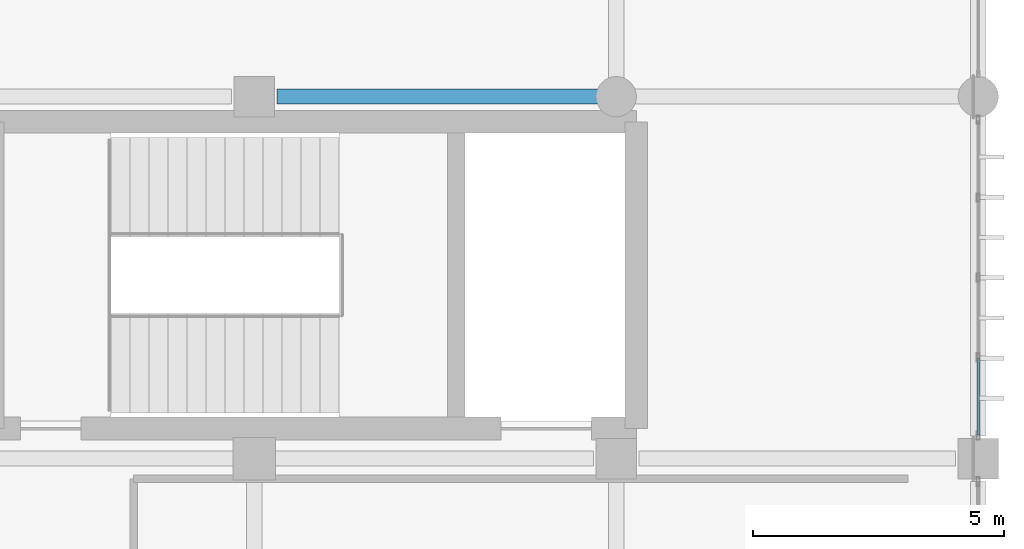
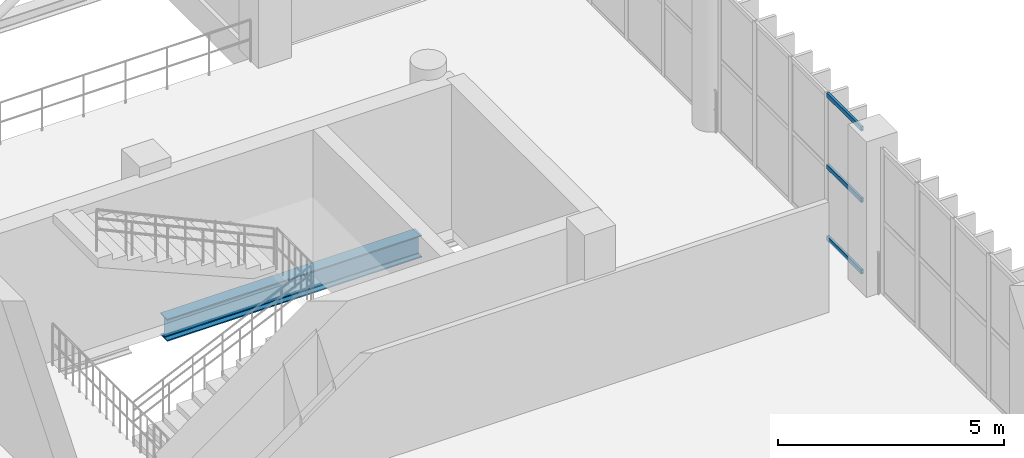
# One storey, part 89 of 153: 3 members, 1 beam, 1 element without a shape of its own.
"""IFC4 building model written with IfcOpenShell, lengths in metres."""

from ifc_helpers import new_model, si_unit, direction, frame, origin, origin_2d, place, context, subcontext, project, spatial, hollow_rectangle, i_section, extrude, material, material_profile, profile_set, type_object, element, aggregate, save


model = new_model("IFC4")

# Units and contexts
model_context = context("Model", 3, precision=1e-05, world=origin(), true_north=direction((0.0, 1.0)))
body_context = subcontext(model_context, "Body", "Model", "MODEL_VIEW")
ifc_project = project(units=[si_unit("LENGTHUNIT", "METRE"), si_unit("AREAUNIT", "SQUARE_METRE"), si_unit("VOLUMEUNIT", "CUBIC_METRE"), si_unit("PLANEANGLEUNIT", "RADIAN"), si_unit("MASSUNIT", "GRAM", prefix="KILO")], contexts=[model_context])

# Site, building, storey
site_placement = place(None, origin())
site = spatial("IfcSite", under=ifc_project, at=site_placement, CompositionType="ELEMENT")
building_placement = place(site_placement, origin())
building = spatial("IfcBuilding", under=site, at=building_placement, Name="Qandorah Velis Arena", CompositionType="ELEMENT")
storey_placement = place(building_placement, frame((0.0, 0.0, 5.39990234375)))
storey = spatial("IfcBuildingStorey", under=building, at=storey_placement, Name="L01", CompositionType="ELEMENT", Elevation=5.39990234375)

# Curtain wall, members
ifc_material_1 = material(Name="Solar-control low-E double glazing", Category="glass")
curtain_wall_type = type_object("IfcCurtainWallType", Name="ARC-CW-SYS23", PredefinedType="USERDEFINED", material=ifc_material_1)
curtain_wall_placement = place(storey_placement, origin())
curtain_wall = element("IfcCurtainWall", 1, at=curtain_wall_placement, inside=storey, type_object=curtain_wall_type, Name="Unitised curtain wall L01-143", ObjectType="UNITISED CURTAIN WALL", PredefinedType="USERDEFINED")
ifc_material_2 = material(Name="Champagne-bronze anodized aluminium 6063-T6", Category="aluminium")
ifc_material_profile_1 = material_profile(ifc_material_2, hollow_rectangle(XDim=0.06005859375, YDim=0.1201171875, WallThickness=0.0029296875, at=origin_2d()), Name="ALU TRANSOM 60x120")
ifc_profile_set_1 = profile_set([ifc_material_profile_1], Name="Champagne-bronze anodized aluminium 6063-T6")
member_type = type_object("IfcMemberType", Name="ARC-CWT-120", PredefinedType="USERDEFINED", material=ifc_profile_set_1)
member_1_placement = place(storey_placement, frame((172.800048828125, 79.673095703125, 0.030029296875), z_axis=(0.0, 1.0, 0.0), x_axis=(-1.0, 0.0, 0.0)))
member_1 = element("IfcMember", 2, at=member_1_placement, type_object=member_type, Name="CW23 transom 1.1", ObjectType="TRANSOM", PredefinedType="USERDEFINED", context=body_context, shape_type="SweptSolid", body=[
    extrude(hollow_rectangle(XDim=0.06005859375, YDim=0.1201171875, WallThickness=0.0029296875, at=origin_2d()), origin(), (0.0, 0.0, 1.0), 1.521484375),
])
member_2_placement = place(storey_placement, frame((172.800048828125, 79.673095703125, 1.960205078125), z_axis=(0.0, 1.0, 0.0), x_axis=(-1.0, 0.0, 0.0)))
member_2 = element("IfcMember", 3, at=member_2_placement, type_object=member_type, Name="CW23 transom 1.2", ObjectType="TRANSOM", PredefinedType="USERDEFINED", context=body_context, shape_type="SweptSolid", body=[
    extrude(hollow_rectangle(XDim=0.06005859375, YDim=0.1201171875, WallThickness=0.0029296875, at=origin_2d()), origin(), (0.0, 0.0, 1.0), 1.521484375),
])
member_3_placement = place(storey_placement, frame((172.800048828125, 79.673095703125, 3.89013671875), z_axis=(0.0, 1.0, 0.0), x_axis=(-1.0, 0.0, 0.0)))
member_3 = element("IfcMember", 4, at=member_3_placement, type_object=member_type, Name="CW23 transom 1.3", ObjectType="TRANSOM", PredefinedType="USERDEFINED", context=body_context, shape_type="SweptSolid", body=[
    extrude(hollow_rectangle(XDim=0.06005859375, YDim=0.1201171875, WallThickness=0.0029296875, at=origin_2d()), origin(), (0.0, 0.0, 1.0), 1.521484375),
])
aggregate(curtain_wall, [member_1, member_2, member_3])

# Beam
ifc_material_3 = material(Name="Steel S355", Category="steel")
ifc_material_profile_2 = material_profile(ifc_material_3, i_section(OverallWidth=0.300048828125, OverallDepth=0.60009765625, WebThickness=0.015380859375, FlangeThickness=0.030029296875, FilletRadius=0.027099609375, at=origin_2d()), Name="HEB 600")
ifc_profile_set_2 = profile_set([ifc_material_profile_2], Name="Steel S355")
beam_type = type_object("IfcBeamType", Name="STR-BM-HEB600", PredefinedType="BEAM", material=ifc_profile_set_2)
beam_placement = place(storey_placement, frame((158.85009765625, 86.39990234375, -0.659912109375), z_axis=(1.0, 0.0, 0.0), x_axis=(0.0, 1.0, 0.0)))
element("IfcBeam", 5, at=beam_placement, inside=storey, type_object=beam_type, Name="Primary floor girder L01 X-135", PredefinedType="BEAM", context=body_context, shape_type="SweptSolid", body=[
    extrude(i_section(OverallWidth=0.300048828125, OverallDepth=0.60009765625, WebThickness=0.015380859375, FlangeThickness=0.030029296875, FilletRadius=0.027099609375, at=origin_2d()), origin(), (0.0, 0.0, 1.0), 6.5),
])

save(model, "model.ifc")
